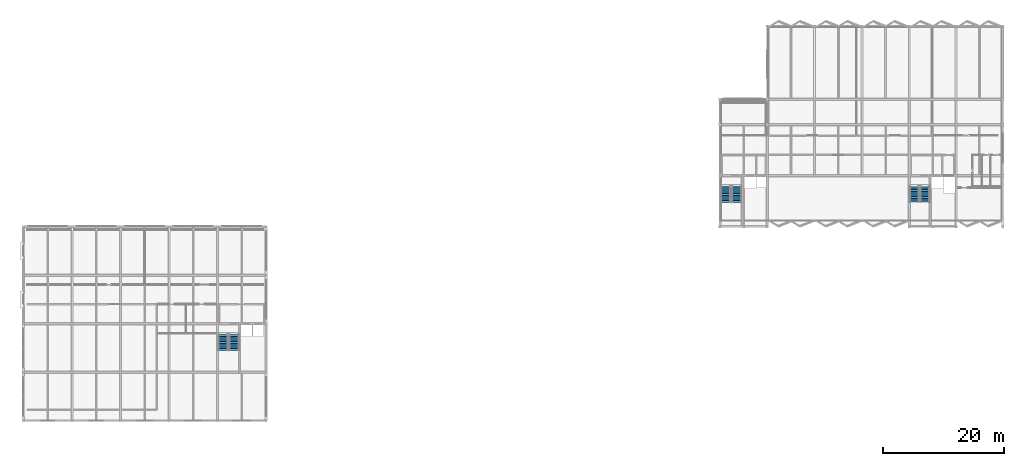
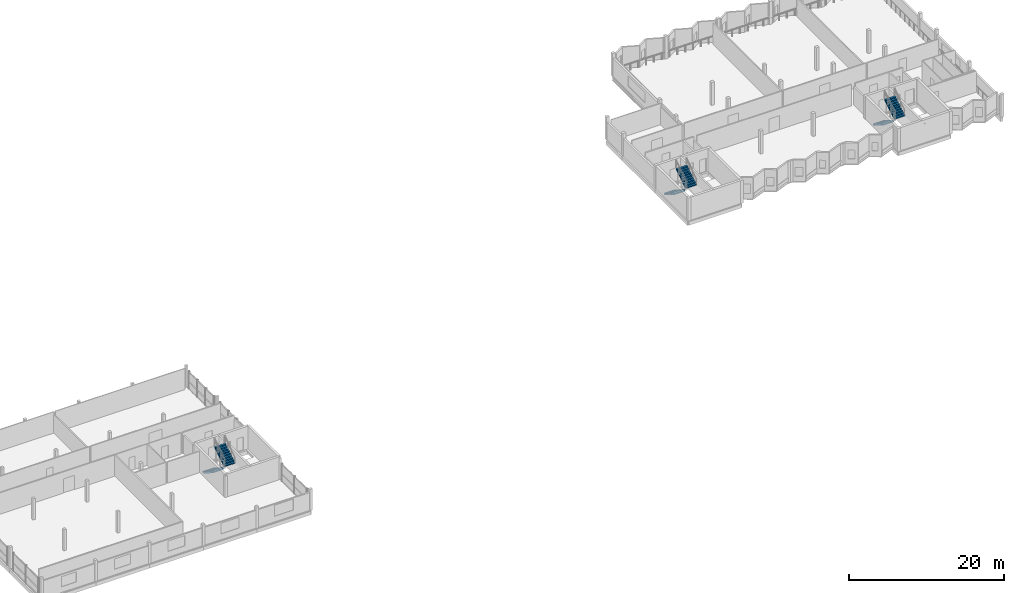
# One storey, part 17 of 22: 6 stair flights, 3 elements without a shape of their own.
"""IFC4 building model written with IfcOpenShell, lengths in metres."""

from ifc_helpers import new_model, si_unit, direction, frame, origin, place, context, subcontext, project, spatial, polyline, outline, extrude, material, type_object, element, aggregate, save


model = new_model("IFC4")

# Units and contexts
model_context = context("Model", 3, precision=1e-05, world=origin(), true_north=direction((0.0, 1.0)))
body_context = subcontext(model_context, "Body", "Model", "MODEL_VIEW")
ifc_project = project(units=[si_unit("LENGTHUNIT", "METRE"), si_unit("AREAUNIT", "SQUARE_METRE"), si_unit("VOLUMEUNIT", "CUBIC_METRE"), si_unit("PLANEANGLEUNIT", "RADIAN"), si_unit("MASSUNIT", "GRAM", prefix="KILO")], contexts=[model_context])

# Site, building, storey
site_placement = place(None, origin())
site = spatial("IfcSite", under=ifc_project, at=site_placement, CompositionType="ELEMENT")
building_placement = place(site_placement, origin())
building = spatial("IfcBuilding", under=site, at=building_placement, Name="Vharandega Faculty of Natural Sciences", CompositionType="ELEMENT")
storey_placement = place(building_placement, frame((0.0, 0.0, 28.800048828125)))
storey = spatial("IfcBuildingStorey", under=building, at=storey_placement, Name="L07", CompositionType="ELEMENT", Elevation=28.800048828125)

# Stair, stair flights
ifc_material_1 = material(Name="Concrete C40/50", Category="concrete")
stair_type_1 = type_object("IfcStairType", Name="Escape Dog-Leg Stair W160 H360", PredefinedType="HALF_TURN_STAIR", material=ifc_material_1)
stair_1_placement = place(storey_placement, origin())
stair_1 = element("IfcStair", 1, at=stair_1_placement, inside=storey, type_object=stair_type_1, Name="L07 Escape Stair ST2", PredefinedType="HALF_TURN_STAIR")
ifc_material_2 = material(Name="Concrete C40/50", Category="concrete")
stair_flight_type_1 = type_object("IfcStairFlightType", Name="Precast Stair Flight W160 H360", PredefinedType="STRAIGHT", material=ifc_material_2)
stair_flight_1_placement = place(storey_placement, frame((146.860107421875, 70.659912109375, 0.0), z_axis=(0.0, 0.0, 1.0), x_axis=(0.0, -1.0, 0.0)))
stair_flight_1 = element("IfcStairFlight", 2, at=stair_flight_1_placement, type_object=stair_flight_type_1, Name="ST2 flight 1", NumberOfRisers=10, NumberOfTreads=9, PredefinedType="STRAIGHT", RiserHeight=0.18, TreadLength=0.29, context=body_context, shape_type="SweptSolid", body=[
    extrude(outline(polyline([(0.0, 0.0), (0.0, 0.179931640625), (0.2900390625, 0.179931640625), (0.2900390625, 0.360107421875), (0.580078125, 0.360107421875), (0.580078125, 0.5400390625), (0.8701171875, 0.5400390625), (0.8701171875, 0.719970703125), (1.159912109375, 0.719970703125), (1.159912109375, 0.89990234375), (1.449951171875, 0.89990234375), (1.449951171875, 1.080078125), (1.739990234375, 1.080078125), (1.739990234375, 1.260009765625), (2.030029296875, 1.260009765625), (2.030029296875, 1.43994140625), (2.320068359375, 1.43994140625), (2.320068359375, 1.6201171875), (2.610107421875, 1.6201171875), (2.610107421875, 1.800048828125), (2.610107421875, 1.443603515625), (0.2841796875, 0.0), (0.0, 0.0)])), frame((0.0, 0.800048828125, 0.0), z_axis=(0.0, -1.0, 0.0), x_axis=(1.0, 0.0, 0.0)), (0.0, 0.0, 1.0), 1.60009765625),
])
stair_flight_2_placement = place(storey_placement, frame((148.580078125, 68.050048828125, 1.800048828125), z_axis=(0.0, 0.0, 1.0), x_axis=(0.0, 1.0, 0.0)))
stair_flight_2 = element("IfcStairFlight", 3, at=stair_flight_2_placement, type_object=stair_flight_type_1, Name="ST2 flight 2", NumberOfRisers=10, NumberOfTreads=9, PredefinedType="STRAIGHT", RiserHeight=0.18, TreadLength=0.29, context=body_context, shape_type="SweptSolid", body=[
    extrude(outline(polyline([(0.0, 0.0), (0.0, 0.179931640625), (0.2900390625, 0.179931640625), (0.2900390625, 0.360107421875), (0.580078125, 0.360107421875), (0.580078125, 0.5400390625), (0.8701171875, 0.5400390625), (0.8701171875, 0.719970703125), (1.159912109375, 0.719970703125), (1.159912109375, 0.89990234375), (1.449951171875, 0.89990234375), (1.449951171875, 1.080078125), (1.739990234375, 1.080078125), (1.739990234375, 1.260009765625), (2.030029296875, 1.260009765625), (2.030029296875, 1.43994140625), (2.320068359375, 1.43994140625), (2.320068359375, 1.6201171875), (2.610107421875, 1.6201171875), (2.610107421875, 1.800048828125), (2.610107421875, 1.443603515625), (0.2841796875, 0.0), (0.0, 0.0)])), frame((0.0, 0.800048828125, 0.0), z_axis=(0.0, -1.0, 0.0), x_axis=(1.0, 0.0, 0.0)), (0.0, 0.0, 1.0), 1.60009765625),
])
aggregate(stair_1, [stair_flight_1, stair_flight_2])

ifc_material_3 = material(Name="Concrete C40/50", Category="concrete")
stair_type_2 = type_object("IfcStairType", Name="Escape Dog-Leg Stair W165 H360", PredefinedType="HALF_TURN_STAIR", material=ifc_material_3)
stair_2_placement = place(storey_placement, origin())
stair_2 = element("IfcStair", 4, at=stair_2_placement, inside=storey, type_object=stair_type_2, Name="L07 Escape Stair ST1", PredefinedType="HALF_TURN_STAIR")
ifc_material_4 = material(Name="Concrete C40/50", Category="concrete")
stair_flight_type_2 = type_object("IfcStairFlightType", Name="Precast Stair Flight W165 H360", PredefinedType="STRAIGHT", material=ifc_material_4)
stair_flight_3_placement = place(storey_placement, frame((115.764892578125, 70.610107421875, 0.0), z_axis=(0.0, 0.0, 1.0), x_axis=(0.0, -1.0, 0.0)))
stair_flight_3 = element("IfcStairFlight", 5, at=stair_flight_3_placement, type_object=stair_flight_type_2, Name="ST1 flight 1", NumberOfRisers=10, NumberOfTreads=9, PredefinedType="STRAIGHT", RiserHeight=0.18, TreadLength=0.29, context=body_context, shape_type="SweptSolid", body=[
    extrude(outline(polyline([(0.0, 0.0), (0.0, 0.179931640625), (0.2900390625, 0.179931640625), (0.2900390625, 0.360107421875), (0.580078125, 0.360107421875), (0.580078125, 0.5400390625), (0.8701171875, 0.5400390625), (0.8701171875, 0.719970703125), (1.159912109375, 0.719970703125), (1.159912109375, 0.89990234375), (1.449951171875, 0.89990234375), (1.449951171875, 1.080078125), (1.739990234375, 1.080078125), (1.739990234375, 1.260009765625), (2.030029296875, 1.260009765625), (2.030029296875, 1.43994140625), (2.320068359375, 1.43994140625), (2.320068359375, 1.6201171875), (2.610107421875, 1.6201171875), (2.610107421875, 1.800048828125), (2.610107421875, 1.443603515625), (0.2841796875, 0.0), (0.0, 0.0)])), frame((0.0, 0.824951171875, 0.0), z_axis=(0.0, -1.0, 0.0), x_axis=(1.0, 0.0, 0.0)), (0.0, 0.0, 1.0), 1.64990234375),
])
stair_flight_4_placement = place(storey_placement, frame((117.534912109375, 68.0, 1.800048828125), z_axis=(0.0, 0.0, 1.0), x_axis=(0.0, 1.0, 0.0)))
stair_flight_4 = element("IfcStairFlight", 6, at=stair_flight_4_placement, type_object=stair_flight_type_2, Name="ST1 flight 2", NumberOfRisers=10, NumberOfTreads=9, PredefinedType="STRAIGHT", RiserHeight=0.18, TreadLength=0.29, context=body_context, shape_type="SweptSolid", body=[
    extrude(outline(polyline([(0.0, 0.0), (0.0, 0.179931640625), (0.2900390625, 0.179931640625), (0.2900390625, 0.360107421875), (0.580078125, 0.360107421875), (0.580078125, 0.5400390625), (0.8701171875, 0.5400390625), (0.8701171875, 0.719970703125), (1.159912109375, 0.719970703125), (1.159912109375, 0.89990234375), (1.449951171875, 0.89990234375), (1.449951171875, 1.080078125), (1.739990234375, 1.080078125), (1.739990234375, 1.260009765625), (2.030029296875, 1.260009765625), (2.030029296875, 1.43994140625), (2.320068359375, 1.43994140625), (2.320068359375, 1.6201171875), (2.610107421875, 1.6201171875), (2.610107421875, 1.800048828125), (2.610107421875, 1.443603515625), (0.2841796875, 0.0), (0.0, 0.0)])), frame((0.0, 0.824951171875, 0.0), z_axis=(0.0, -1.0, 0.0), x_axis=(1.0, 0.0, 0.0)), (0.0, 0.0, 1.0), 1.64990234375),
])
aggregate(stair_2, [stair_flight_3, stair_flight_4])

stair_3_placement = place(storey_placement, origin())
stair_3 = element("IfcStair", 7, at=stair_3_placement, inside=storey, type_object=stair_type_2, Name="L07 Escape Stair ST3", PredefinedType="HALF_TURN_STAIR")
stair_flight_5_placement = place(storey_placement, frame((32.965087890625, 46.2099609375, 0.0), z_axis=(0.0, 0.0, 1.0), x_axis=(0.0, -1.0, 0.0)))
stair_flight_5 = element("IfcStairFlight", 8, at=stair_flight_5_placement, type_object=stair_flight_type_2, Name="ST3 flight 1", NumberOfRisers=10, NumberOfTreads=9, PredefinedType="STRAIGHT", RiserHeight=0.18, TreadLength=0.29, context=body_context, shape_type="SweptSolid", body=[
    extrude(outline(polyline([(0.0, 0.0), (0.0, 0.179931640625), (0.2900390625, 0.179931640625), (0.2900390625, 0.360107421875), (0.580078125, 0.360107421875), (0.580078125, 0.5400390625), (0.8701171875, 0.5400390625), (0.8701171875, 0.719970703125), (1.159912109375, 0.719970703125), (1.159912109375, 0.89990234375), (1.449951171875, 0.89990234375), (1.449951171875, 1.080078125), (1.739990234375, 1.080078125), (1.739990234375, 1.260009765625), (2.030029296875, 1.260009765625), (2.030029296875, 1.43994140625), (2.320068359375, 1.43994140625), (2.320068359375, 1.6201171875), (2.610107421875, 1.6201171875), (2.610107421875, 1.800048828125), (2.610107421875, 1.443603515625), (0.2841796875, 0.0), (0.0, 0.0)])), frame((0.0, 0.824951171875, 0.0), z_axis=(0.0, -1.0, 0.0), x_axis=(1.0, 0.0, 0.0)), (0.0, 0.0, 1.0), 1.64990234375),
])
stair_flight_6_placement = place(storey_placement, frame((34.735107421875, 43.60009765625, 1.800048828125), z_axis=(0.0, 0.0, 1.0), x_axis=(0.0, 1.0, 0.0)))
stair_flight_6 = element("IfcStairFlight", 9, at=stair_flight_6_placement, type_object=stair_flight_type_2, Name="ST3 flight 2", NumberOfRisers=10, NumberOfTreads=9, PredefinedType="STRAIGHT", RiserHeight=0.18, TreadLength=0.29, context=body_context, shape_type="SweptSolid", body=[
    extrude(outline(polyline([(0.0, 0.0), (0.0, 0.179931640625), (0.2900390625, 0.179931640625), (0.2900390625, 0.360107421875), (0.580078125, 0.360107421875), (0.580078125, 0.5400390625), (0.8701171875, 0.5400390625), (0.8701171875, 0.719970703125), (1.159912109375, 0.719970703125), (1.159912109375, 0.89990234375), (1.449951171875, 0.89990234375), (1.449951171875, 1.080078125), (1.739990234375, 1.080078125), (1.739990234375, 1.260009765625), (2.030029296875, 1.260009765625), (2.030029296875, 1.43994140625), (2.320068359375, 1.43994140625), (2.320068359375, 1.6201171875), (2.610107421875, 1.6201171875), (2.610107421875, 1.800048828125), (2.610107421875, 1.443603515625), (0.2841796875, 0.0), (0.0, 0.0)])), frame((0.0, 0.824951171875, 0.0), z_axis=(0.0, -1.0, 0.0), x_axis=(1.0, 0.0, 0.0)), (0.0, 0.0, 1.0), 1.64990234375),
])
aggregate(stair_3, [stair_flight_5, stair_flight_6])

save(model, "model.ifc")
